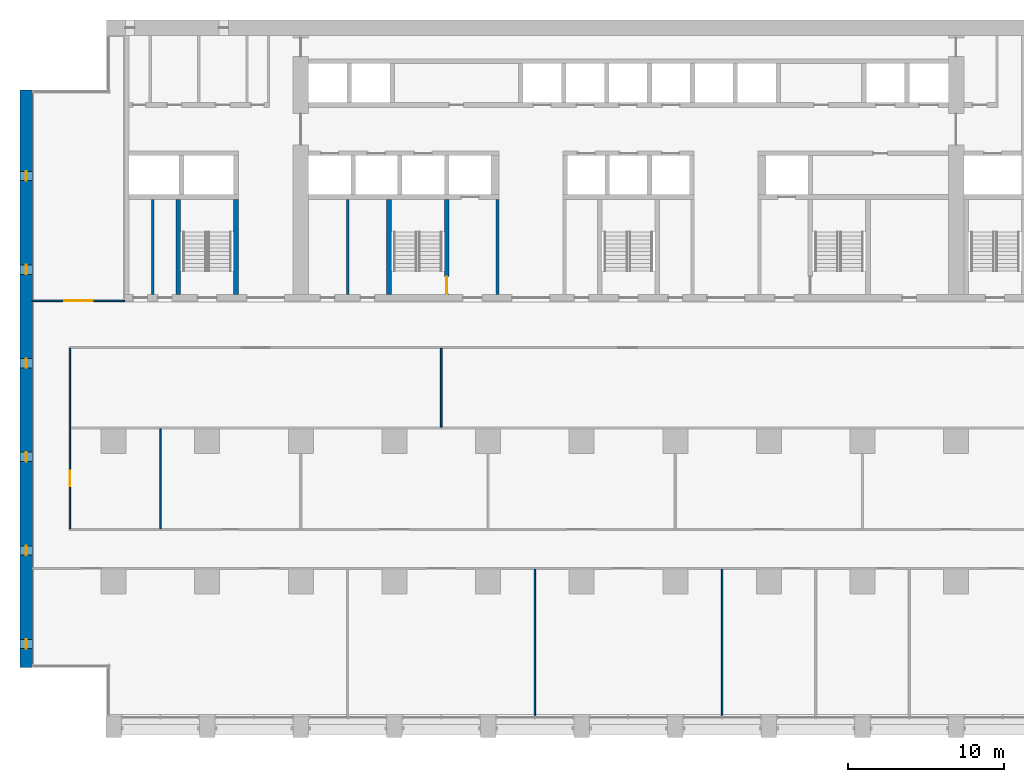
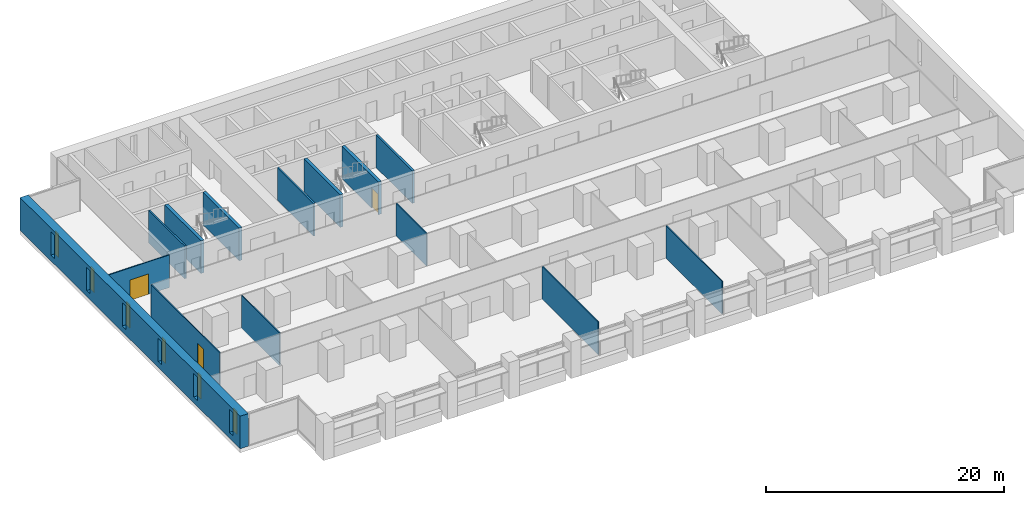
# One storey, part 8 of 18: 14 walls, 6 windows, 3 doors, 9 openings.
"""IFC4 building model written with IfcOpenShell, lengths in metres."""

import ifcopenshell
import ifcopenshell.guid

model = None  # the IFC model being written
_history = None  # IfcOwnerHistory: only IFC2X3 demands one
_inside = {}  # id of a spatial element -> (the spatial element, [elements in it])
_under = {}  # id of a project, library or spatial element -> (it, [spatial elements below it])
_declared = {}  # id of a project -> (the project, [libraries it declares])
_typed = {}  # id of a type object -> (the type object, [elements of that type])
_made_of = {}  # id of a material, layer set ... -> (it, [elements and type objects made of it])


def new_model(schema):
    """Start an empty IFC model of exactly this schema.

    Asked for "IFC4X3", IfcOpenShell would pick the latest addendum, in which some entities
    have other attributes; the version numbers below select the first issue.
    IFC2X3 requires an IfcOwnerHistory on every rooted entity: one is made here for all.
    """
    global model, _history
    if schema == "IFC4X3":
        model = ifcopenshell.file(schema_version=(4, 3, 0, 0))
    else:
        model = ifcopenshell.file(schema=schema)
    _inside.clear()
    _under.clear()
    _declared.clear()
    _typed.clear()
    _made_of.clear()
    _history = None
    if model.schema == "IFC2X3":
        org = make("IfcOrganization", Name="unknown")
        user = make(
            "IfcPersonAndOrganization",
            ThePerson=make("IfcPerson", FamilyName="unknown"),
            TheOrganization=org,
        )
        app = make(
            "IfcApplication",
            ApplicationDeveloper=org,
            Version="unknown",
            ApplicationFullName="unknown",
            ApplicationIdentifier="unknown",
        )
        _history = make(
            "IfcOwnerHistory",
            OwningUser=user,
            OwningApplication=app,
            ChangeAction="ADDED",
            CreationDate=0,
        )
    return model


def make(cls, **values):
    """One entity of the class cls with the attributes given. An attribute that is None is left unset."""
    return model.create_entity(
        cls, **{name: value for name, value in values.items() if value is not None}
    )


def rooted(cls, **values):
    """An entity with a GlobalId (a new one), such as an element, a storey or a relation."""
    return make(cls, GlobalId=ifcopenshell.guid.new(), OwnerHistory=_history, **values)


def si_unit(unit_type, name, prefix=None):
    """IfcSIUnit, for example si_unit("LENGTHUNIT", "METRE", prefix="MILLI")."""
    return make("IfcSIUnit", UnitType=unit_type, Prefix=prefix, Name=name)


def assignment(units):
    """IfcUnitAssignment: the units of a project."""
    return None if units is None else make("IfcUnitAssignment", Units=units)


def point(xyz):
    """IfcCartesianPoint."""
    return None if xyz is None else make("IfcCartesianPoint", Coordinates=xyz)


def direction(xyz):
    """IfcDirection."""
    return None if xyz is None else make("IfcDirection", DirectionRatios=xyz)


def frame(location, z_axis=None, x_axis=None):
    """IfcAxis2Placement3D, a coordinate frame: its origin and axes. An axis left out is left unset."""
    return make(
        "IfcAxis2Placement3D",
        Location=point(location),
        Axis=direction(z_axis),
        RefDirection=direction(x_axis),
    )


def frame_2d(location, x_axis=None):
    """IfcAxis2Placement2D, a coordinate frame in the plane: its origin and x axis."""
    return make(
        "IfcAxis2Placement2D", Location=point(location), RefDirection=direction(x_axis)
    )


def origin():
    """The frame at (0, 0, 0) with its axes left unset."""
    return frame((0.0, 0.0, 0.0))


def place(relative_to, where):
    """IfcLocalPlacement: puts the frame where relative to a parent placement (None: the world)."""
    return make(
        "IfcLocalPlacement", PlacementRelTo=relative_to, RelativePlacement=where
    )


def context(
    kind, dimensions, precision=None, world=None, true_north=None, identifier=None
):
    """IfcGeometricRepresentationContext, for example the 3D "Model" context."""
    return make(
        "IfcGeometricRepresentationContext",
        ContextIdentifier=identifier,
        ContextType=kind,
        CoordinateSpaceDimension=dimensions,
        Precision=precision,
        WorldCoordinateSystem=world,
        TrueNorth=true_north,
    )


def subcontext(parent, identifier, kind, view, scale=None):
    """IfcGeometricRepresentationSubContext, for example "Body" below "Model"."""
    return make(
        "IfcGeometricRepresentationSubContext",
        ContextIdentifier=identifier,
        ContextType=kind,
        ParentContext=parent,
        TargetScale=scale,
        TargetView=view,
    )


def project(units=None, contexts=None):
    """IfcProject with its units and contexts."""
    return rooted(
        "IfcProject",
        Name="project",
        RepresentationContexts=contexts,
        UnitsInContext=assignment(units),
    )


def spatial(cls, under=None, at=None, **own):
    """A site, building, storey or space (cls), placed at a placement, below another one or the project."""
    s = rooted(cls, ObjectPlacement=at, **own)
    if under is not None:
        _under.setdefault(under.id(), (under, []))[1].append(s)
    return s


def profile(cls, at=None, kind="AREA", **sizes):
    """A parametric profile (cls). Its sizes go by their IFC names, for example OverallWidth=200.0."""
    return make(cls, ProfileType=kind, Position=at, **sizes)


def rectangle(**sizes):
    """IfcRectangleProfileDef."""
    return profile("IfcRectangleProfileDef", **sizes)


def extrude(swept, where, along, depth):
    """IfcExtrudedAreaSolid: the profile swept, set in the frame where, extruded along a direction by depth."""
    return make(
        "IfcExtrudedAreaSolid",
        SweptArea=swept,
        Position=where,
        ExtrudedDirection=direction(along),
        Depth=depth,
    )


def shape(context_of_items, identifier, shape_type, items):
    """IfcShapeRepresentation: the items that make up one representation, for example the "Body"."""
    return make(
        "IfcShapeRepresentation",
        ContextOfItems=context_of_items,
        RepresentationIdentifier=identifier,
        RepresentationType=shape_type,
        Items=items,
    )


def material(Name=None, Category=None):
    """IfcMaterial."""
    return make("IfcMaterial", Name=Name, Category=Category)


def layer(
    of_material, thickness, ventilated=None, Name=None, Category=None, Priority=None
):
    """IfcMaterialLayer: one layer of a wall or slab, of a material (None: an air gap)."""
    return make(
        "IfcMaterialLayer",
        Material=of_material,
        LayerThickness=thickness,
        IsVentilated=ventilated,
        Name=Name,
        Category=Category,
        Priority=Priority,
    )


def layer_set(layers, Name=None):
    """IfcMaterialLayerSet."""
    return make("IfcMaterialLayerSet", MaterialLayers=layers, LayerSetName=Name)


def made_of(thing, what):
    """Note that an element or type object is made of a material, layer set ...; save() writes the relation."""
    if what is not None:
        _made_of.setdefault(what.id(), (what, []))[1].append(thing)
    return thing


def type_object(cls, material=None, **own):
    """A type object (cls), such as IfcWallType, which elements share."""
    return made_of(rooted(cls, **own), material)


def element(
    cls,
    number,
    at=None,
    inside=None,
    cuts=None,
    type_object=None,
    material=None,
    context=None,
    identifier="Body",
    shape_type=None,
    held_by="IfcProductDefinitionShape",
    body=None,
    shapes=None,
    **own,
):
    """One element of the class cls, such as IfcWall. Its Tag is "e" and its number.

    at: its placement. inside: the storey or other place that contains it. cuts: it is an
    opening in that element (IfcRelVoidsElement). A single representation is given by context,
    identifier, shape_type and body (its items); several are given by shapes. held_by: the class
    of the entity that holds the representations. save() writes the other relations.
    """
    e = rooted(cls, Tag="e%d" % number, ObjectPlacement=at, **own)
    if body is not None:
        shapes = [shape(context, identifier, shape_type, body)]
    if shapes is not None:
        e.Representation = make(held_by, Representations=shapes)
    if inside is not None:
        _inside.setdefault(inside.id(), (inside, []))[1].append(e)
    if cuts is not None:
        rooted(
            "IfcRelVoidsElement", RelatingBuildingElement=cuts, RelatedOpeningElement=e
        )
    if type_object is not None:
        _typed.setdefault(type_object.id(), (type_object, []))[1].append(e)
    return made_of(e, material)


def fill(opening, filler):
    """IfcRelFillsElement: the door or window that sits in an opening."""
    return rooted(
        "IfcRelFillsElement",
        RelatingOpeningElement=opening,
        RelatedBuildingElement=filler,
    )


def aggregate(whole, parts):
    """IfcRelAggregates: a whole, such as a stair, and the parts it consists of."""
    return rooted("IfcRelAggregates", RelatingObject=whole, RelatedObjects=parts)


def save(model, path):
    """Write the relations noted so far, then the file.

    IfcRelAggregates (storeys below a building ...), IfcRelContainedInSpatialStructure (elements
    in a storey), IfcRelDefinesByType, IfcRelAssociatesMaterial and IfcRelDeclares: one each for
    every whole, place, type object, material and project.
    """
    for whole, parts in _under.values():
        aggregate(whole, parts)
    for where, things in _inside.values():
        rooted(
            "IfcRelContainedInSpatialStructure",
            RelatedElements=things,
            RelatingStructure=where,
        )
    for kind, things in _typed.values():
        rooted("IfcRelDefinesByType", RelatedObjects=things, RelatingType=kind)
    for what, things in _made_of.values():
        rooted("IfcRelAssociatesMaterial", RelatedObjects=things, RelatingMaterial=what)
    for by, libraries in _declared.values():
        rooted("IfcRelDeclares", RelatingContext=by, RelatedDefinitions=libraries)
    model.write(path)


model = new_model("IFC4")

# Units and contexts
model_context = context("Model", 3, precision=1e-05, world=origin(), true_north=direction((0.0, 1.0)))
body_context = subcontext(model_context, "Body", "Model", "MODEL_VIEW")
ifc_project = project(units=[si_unit("LENGTHUNIT", "METRE"), si_unit("AREAUNIT", "SQUARE_METRE"), si_unit("VOLUMEUNIT", "CUBIC_METRE"), si_unit("PLANEANGLEUNIT", "RADIAN"), si_unit("MASSUNIT", "GRAM", prefix="KILO")], contexts=[model_context])

# Site, building, storey
site_placement = place(None, origin())
site = spatial("IfcSite", under=ifc_project, at=site_placement, CompositionType="ELEMENT")
building_placement = place(site_placement, origin())
building = spatial("IfcBuilding", under=site, at=building_placement, Name="Calvaro Tower", CompositionType="ELEMENT")
storey_placement = place(building_placement, frame((0.0, 0.0, 63.75)))
storey = spatial("IfcBuildingStorey", under=building, at=storey_placement, Name="L15", CompositionType="ELEMENT", Elevation=63.75)

# Walls
ifc_material_1 = material(Name="Blockwork partition", Category="masonry")
ifc_layer_1 = layer(ifc_material_1, 0.14990234375)
ifc_layer_set_1 = layer_set([ifc_layer_1], Name="Blockwork partition")
wall_type_1 = type_object("IfcWallType", Name="Core partition 150 EI 60", PredefinedType="PARTITIONING", material=ifc_layer_set_1)
wall_1_placement = place(storey_placement, frame((21.0, 28.39990234375, 0.0), z_axis=(0.0, 0.0, 1.0), x_axis=(0.0, 1.0, 0.0)))
element("IfcWall", 1, at=wall_1_placement, inside=storey, type_object=wall_type_1, Name="Core partition", PredefinedType="PARTITIONING", context=body_context, shape_type="SweptSolid", body=[
    extrude(rectangle(XDim=6.10009765625, YDim=0.14990234375, at=frame_2d((3.050048828125, 0.0))), origin(), (0.0, 0.0, 1.0), 3.35009765625),
])
ifc_material_2 = material(Name="Blockwork partition", Category="masonry")
ifc_layer_2 = layer(ifc_material_2, 0.14990234375)
ifc_layer_set_2 = layer_set([ifc_layer_2], Name="Blockwork partition")
wall_type_2 = type_object("IfcWallType", Name="Core partition 150 REI 120", PredefinedType="PARTITIONING", material=ifc_layer_set_2)
wall_2_placement = place(storey_placement, frame((8.5, 28.39990234375, 0.0), z_axis=(0.0, 0.0, 1.0), x_axis=(0.0, 1.0, 0.0)))
element("IfcWall", 2, at=wall_2_placement, inside=storey, type_object=wall_type_2, Name="Core partition", PredefinedType="PARTITIONING", context=body_context, shape_type="SweptSolid", body=[
    extrude(rectangle(XDim=6.10009765625, YDim=0.14990234375, at=frame_2d((3.050048828125, 0.0))), origin(), (0.0, 0.0, 1.0), 3.35009765625),
])
ifc_material_3 = material(Name="Blockwork partition", Category="masonry")
ifc_layer_3 = layer(ifc_material_3, 0.199951171875)
ifc_layer_set_3 = layer_set([ifc_layer_3], Name="Blockwork partition")
wall_type_3 = type_object("IfcWallType", Name="Core partition 200 REI 120", PredefinedType="PARTITIONING", material=ifc_layer_set_3)
wall_3_placement = place(storey_placement, frame((30.60009765625, 28.39990234375, 0.0), z_axis=(0.0, 0.0, 1.0), x_axis=(0.0, 1.0, 0.0)))
element("IfcWall", 3, at=wall_3_placement, inside=storey, type_object=wall_type_3, Name="Core partition", PredefinedType="PARTITIONING", context=body_context, shape_type="SweptSolid", body=[
    extrude(rectangle(XDim=6.10009765625, YDim=0.199951171875, at=frame_2d((3.050048828125, 0.0))), origin(), (0.0, 0.0, 1.0), 3.35009765625),
])
ifc_material_4 = material(Name="Concrete C80/95", Category="concrete")
ifc_layer_4 = layer(ifc_material_4, 0.300048828125)
ifc_layer_set_4 = layer_set([ifc_layer_4], Name="Concrete C80/95")
wall_type_4 = type_object("IfcWallType", Name="Core wall C80/95 300", PredefinedType="SHEAR", material=ifc_layer_set_4)
for number, where, z_axis, x_axis, name in (
    (4, (10.14990234375, 28.39990234375, 0.0), (0.0, 0.0, 1.0), (0.0, 1.0, 0.0), "Core wall, stair enclosure"),
    (5, (13.85009765625, 28.39990234375, 0.0), (0.0, 0.0, 1.0), (0.0, 1.0, 0.0), "Core wall, stair enclosure"),
    (6, (23.64990234375, 28.39990234375, 0.0), (0.0, 0.0, 1.0), (0.0, 1.0, 0.0), "Core wall, stair enclosure"),
):
    element("IfcWall", number, at=place(storey_placement, frame(where, z_axis=z_axis, x_axis=x_axis)), inside=storey, type_object=wall_type_4, Name=name, PredefinedType="SHEAR", context=body_context, shape_type="SweptSolid", body=[
        extrude(rectangle(XDim=6.10009765625, YDim=0.300048828125, at=frame_2d((3.050048828125, 0.0))), origin(), (0.0, 0.0, 1.0), 3.35009765625),
    ])

# Wall, opening, door
wall_4_placement = place(storey_placement, frame((27.35009765625, 28.39990234375, 0.0), z_axis=(0.0, 0.0, 1.0), x_axis=(0.0, 1.0, 0.0)))
wall_4 = element("IfcWall", 7, at=wall_4_placement, inside=storey, type_object=wall_type_4, Name="Core wall, stair enclosure", PredefinedType="SHEAR", context=body_context, shape_type="SweptSolid", body=[
    extrude(rectangle(XDim=6.10009765625, YDim=0.300048828125, at=frame_2d((3.050048828125, 0.0))), origin(), (0.0, 0.0, 1.0), 3.35009765625),
])
opening_1_placement = place(wall_4_placement, frame((0.050048828125, 0.0, 0.0)))
opening_1 = element("IfcOpeningElement", 8, at=opening_1_placement, cuts=wall_4, Name="Opening FD11D", PredefinedType="OPENING", context=body_context, shape_type="SweptSolid", body=[
    extrude(rectangle(XDim=1.10009765625, YDim=2.10009765625, at=frame_2d((0.550048828125, 1.050048828125))), frame((0.0, 0.159912109375, 0.0), z_axis=(0.0, -1.0, 0.0), x_axis=(1.0, 0.0, 0.0)), (0.0, 0.0, 1.0), 0.320068359375),
])
ifc_material_5 = material(Name="Steel door set", Category="steel")
door_type_1 = type_object("IfcDoorType", Name="Fire door 1100 FD30S", OperationType="SINGLE_SWING_LEFT", PredefinedType="DOOR", material=ifc_material_5)
door_1_placement = place(opening_1_placement, origin())
door_1 = element("IfcDoor", 9, at=door_1_placement, inside=storey, type_object=door_type_1, Name="Fire door", OperationType="SINGLE_SWING_LEFT", OverallHeight=2.10009765625, OverallWidth=1.10009765625, PredefinedType="DOOR", context=body_context, shape_type="SweptSolid", body=[
    extrude(rectangle(XDim=1.10009765625, YDim=2.10009765625, at=frame_2d((0.550048828125, 1.050048828125))), frame((0.0, 0.02490234375, 0.0), z_axis=(0.0, -1.0, 0.0), x_axis=(1.0, 0.0, 0.0)), (0.0, 0.0, 1.0), 0.050048828125),
])
fill(opening_1, door_1)

# Wall, openings, windows
ifc_material_6 = material(Name="Concrete C80/95", Category="concrete")
ifc_layer_5 = layer(ifc_material_6, 0.800048828125)
ifc_layer_set_5 = layer_set([ifc_layer_5], Name="Concrete C80/95")
wall_type_5 = type_object("IfcWallType", Name="End wall 800 C80/95", PredefinedType="SHEAR", material=ifc_layer_set_5)
wall_5_placement = place(storey_placement, frame((0.39990234375, 4.5, 0.0), z_axis=(0.0, 0.0, 1.0), x_axis=(0.0, 1.0, 0.0)))
wall_5 = element("IfcWall", 10, at=wall_5_placement, inside=storey, type_object=wall_type_5, Name="End shear wall", PredefinedType="SHEAR", context=body_context, shape_type="SweptSolid", body=[
    extrude(rectangle(XDim=37.0, YDim=0.800048828125, at=frame_2d((18.5, 0.0))), origin(), (0.0, 0.0, 1.0), 3.35009765625),
])
opening_2_placement = place(wall_5_placement, frame((1.199951171875, 0.0, 0.60009765625)))
opening_2 = element("IfcOpeningElement", 11, at=opening_2_placement, cuts=wall_5, Name="Opening WW01", PredefinedType="OPENING", context=body_context, shape_type="SweptSolid", body=[
    extrude(rectangle(XDim=0.60009765625, YDim=2.39990234375, at=frame_2d((0.300048828125, 1.199951171875))), frame((0.0, 0.409912109375, 0.0), z_axis=(0.0, -1.0, 0.0), x_axis=(1.0, 0.0, 0.0)), (0.0, 0.0, 1.0), 0.820068359375),
])
opening_3_placement = place(wall_5_placement, frame((7.199951171875, 0.0, 0.60009765625)))
opening_3 = element("IfcOpeningElement", 12, at=opening_3_placement, cuts=wall_5, Name="Opening WW02", PredefinedType="OPENING", context=body_context, shape_type="SweptSolid", body=[
    extrude(rectangle(XDim=0.60009765625, YDim=2.39990234375, at=frame_2d((0.300048828125, 1.199951171875))), frame((0.0, 0.409912109375, 0.0), z_axis=(0.0, -1.0, 0.0), x_axis=(1.0, 0.0, 0.0)), (0.0, 0.0, 1.0), 0.820068359375),
])
opening_4_placement = place(wall_5_placement, frame((13.199951171875, 0.0, 0.60009765625)))
opening_4 = element("IfcOpeningElement", 13, at=opening_4_placement, cuts=wall_5, Name="Opening WW03", PredefinedType="OPENING", context=body_context, shape_type="SweptSolid", body=[
    extrude(rectangle(XDim=0.60009765625, YDim=2.39990234375, at=frame_2d((0.300048828125, 1.199951171875))), frame((0.0, 0.409912109375, 0.0), z_axis=(0.0, -1.0, 0.0), x_axis=(1.0, 0.0, 0.0)), (0.0, 0.0, 1.0), 0.820068359375),
])
opening_5_placement = place(wall_5_placement, frame((19.199951171875, 0.0, 0.60009765625)))
opening_5 = element("IfcOpeningElement", 14, at=opening_5_placement, cuts=wall_5, Name="Opening WW04", PredefinedType="OPENING", context=body_context, shape_type="SweptSolid", body=[
    extrude(rectangle(XDim=0.60009765625, YDim=2.39990234375, at=frame_2d((0.300048828125, 1.199951171875))), frame((0.0, 0.409912109375, 0.0), z_axis=(0.0, -1.0, 0.0), x_axis=(1.0, 0.0, 0.0)), (0.0, 0.0, 1.0), 0.820068359375),
])
opening_6_placement = place(wall_5_placement, frame((25.199951171875, 0.0, 0.60009765625)))
opening_6 = element("IfcOpeningElement", 15, at=opening_6_placement, cuts=wall_5, Name="Opening WW05", PredefinedType="OPENING", context=body_context, shape_type="SweptSolid", body=[
    extrude(rectangle(XDim=0.60009765625, YDim=2.39990234375, at=frame_2d((0.300048828125, 1.199951171875))), frame((0.0, 0.409912109375, 0.0), z_axis=(0.0, -1.0, 0.0), x_axis=(1.0, 0.0, 0.0)), (0.0, 0.0, 1.0), 0.820068359375),
])
opening_7_placement = place(wall_5_placement, frame((31.199951171875, 0.0, 0.60009765625)))
opening_7 = element("IfcOpeningElement", 16, at=opening_7_placement, cuts=wall_5, Name="Opening WW06", PredefinedType="OPENING", context=body_context, shape_type="SweptSolid", body=[
    extrude(rectangle(XDim=0.60009765625, YDim=2.39990234375, at=frame_2d((0.300048828125, 1.199951171875))), frame((0.0, 0.409912109375, 0.0), z_axis=(0.0, -1.0, 0.0), x_axis=(1.0, 0.0, 0.0)), (0.0, 0.0, 1.0), 0.820068359375),
])
ifc_material_7 = material(Name="Glass", Category="glass")
window_type = type_object("IfcWindowType", Name="Slit window 600 x 2400", PartitioningType="SINGLE_PANEL", PredefinedType="WINDOW", material=ifc_material_7)
window_1_placement = place(opening_2_placement, origin())
window_1 = element("IfcWindow", 17, at=window_1_placement, inside=storey, type_object=window_type, Name="Window WW01", OverallHeight=2.39990234375, OverallWidth=0.60009765625, PartitioningType="SINGLE_PANEL", PredefinedType="WINDOW", context=body_context, shape_type="SweptSolid", body=[
    extrude(rectangle(XDim=0.60009765625, YDim=2.39990234375, at=frame_2d((0.300048828125, 1.199951171875))), frame((0.0, 0.030029296875, 0.0), z_axis=(0.0, -1.0, 0.0), x_axis=(1.0, 0.0, 0.0)), (0.0, 0.0, 1.0), 0.06005859375),
])
fill(opening_2, window_1)
window_2_placement = place(opening_3_placement, origin())
window_2 = element("IfcWindow", 18, at=window_2_placement, inside=storey, type_object=window_type, Name="Window WW02", OverallHeight=2.39990234375, OverallWidth=0.60009765625, PartitioningType="SINGLE_PANEL", PredefinedType="WINDOW", context=body_context, shape_type="SweptSolid", body=[
    extrude(rectangle(XDim=0.60009765625, YDim=2.39990234375, at=frame_2d((0.300048828125, 1.199951171875))), frame((0.0, 0.030029296875, 0.0), z_axis=(0.0, -1.0, 0.0), x_axis=(1.0, 0.0, 0.0)), (0.0, 0.0, 1.0), 0.06005859375),
])
fill(opening_3, window_2)
window_3_placement = place(opening_4_placement, origin())
window_3 = element("IfcWindow", 19, at=window_3_placement, inside=storey, type_object=window_type, Name="Window WW03", OverallHeight=2.39990234375, OverallWidth=0.60009765625, PartitioningType="SINGLE_PANEL", PredefinedType="WINDOW", context=body_context, shape_type="SweptSolid", body=[
    extrude(rectangle(XDim=0.60009765625, YDim=2.39990234375, at=frame_2d((0.300048828125, 1.199951171875))), frame((0.0, 0.030029296875, 0.0), z_axis=(0.0, -1.0, 0.0), x_axis=(1.0, 0.0, 0.0)), (0.0, 0.0, 1.0), 0.06005859375),
])
fill(opening_4, window_3)
window_4_placement = place(opening_5_placement, origin())
window_4 = element("IfcWindow", 20, at=window_4_placement, inside=storey, type_object=window_type, Name="Window WW04", OverallHeight=2.39990234375, OverallWidth=0.60009765625, PartitioningType="SINGLE_PANEL", PredefinedType="WINDOW", context=body_context, shape_type="SweptSolid", body=[
    extrude(rectangle(XDim=0.60009765625, YDim=2.39990234375, at=frame_2d((0.300048828125, 1.199951171875))), frame((0.0, 0.030029296875, 0.0), z_axis=(0.0, -1.0, 0.0), x_axis=(1.0, 0.0, 0.0)), (0.0, 0.0, 1.0), 0.06005859375),
])
fill(opening_5, window_4)
window_5_placement = place(opening_6_placement, origin())
window_5 = element("IfcWindow", 21, at=window_5_placement, inside=storey, type_object=window_type, Name="Window WW05", OverallHeight=2.39990234375, OverallWidth=0.60009765625, PartitioningType="SINGLE_PANEL", PredefinedType="WINDOW", context=body_context, shape_type="SweptSolid", body=[
    extrude(rectangle(XDim=0.60009765625, YDim=2.39990234375, at=frame_2d((0.300048828125, 1.199951171875))), frame((0.0, 0.030029296875, 0.0), z_axis=(0.0, -1.0, 0.0), x_axis=(1.0, 0.0, 0.0)), (0.0, 0.0, 1.0), 0.06005859375),
])
fill(opening_6, window_5)
window_6_placement = place(opening_7_placement, origin())
window_6 = element("IfcWindow", 22, at=window_6_placement, inside=storey, type_object=window_type, Name="Window WW06", OverallHeight=2.39990234375, OverallWidth=0.60009765625, PartitioningType="SINGLE_PANEL", PredefinedType="WINDOW", context=body_context, shape_type="SweptSolid", body=[
    extrude(rectangle(XDim=0.60009765625, YDim=2.39990234375, at=frame_2d((0.300048828125, 1.199951171875))), frame((0.0, 0.030029296875, 0.0), z_axis=(0.0, -1.0, 0.0), x_axis=(1.0, 0.0, 0.0)), (0.0, 0.0, 1.0), 0.06005859375),
])
fill(opening_7, window_6)

# Wall, opening, door
ifc_material_8 = material(Name="Plasterboard on steel studs", Category="steel")
ifc_layer_6 = layer(ifc_material_8, 0.10009765625)
ifc_layer_set_6 = layer_set([ifc_layer_6], Name="Plasterboard on steel studs")
wall_type_6 = type_object("IfcWallType", Name="Partition 100", PredefinedType="PARTITIONING", material=ifc_layer_set_6)
wall_6_placement = place(storey_placement, frame((0.800048828125, 28.0, 0.0), z_axis=(0.0, 0.0, 1.0), x_axis=(1.0, 0.0, 0.0)))
wall_6 = element("IfcWall", 23, at=wall_6_placement, inside=storey, type_object=wall_type_6, Name="Partition T12.W005", PredefinedType="PARTITIONING", context=body_context, shape_type="SweptSolid", body=[
    extrude(rectangle(XDim=5.89990234375, YDim=0.10009765625, at=frame_2d((2.949951171875, 0.0))), origin(), (0.0, 0.0, 1.0), 3.35009765625),
])
opening_8_placement = place(wall_6_placement, frame((2.050048828125, 0.0, 0.0)))
opening_8 = element("IfcOpeningElement", 24, at=opening_8_placement, cuts=wall_6, Name="Opening T12.019", PredefinedType="OPENING", context=body_context, shape_type="SweptSolid", body=[
    extrude(rectangle(XDim=1.800048828125, YDim=2.10009765625, at=frame_2d((0.89990234375, 1.050048828125))), frame((0.0, 0.06005859375, 0.0), z_axis=(0.0, -1.0, 0.0), x_axis=(1.0, 0.0, 0.0)), (0.0, 0.0, 1.0), 0.1201171875),
])
ifc_material_9 = material(Name="Timber", Category="wood")
door_type_2 = type_object("IfcDoorType", Name="Internal double door 1800 x 2100", OperationType="DOUBLE_DOOR_SINGLE_SWING", PredefinedType="DOOR", material=ifc_material_9)
door_2_placement = place(opening_8_placement, origin())
door_2 = element("IfcDoor", 25, at=door_2_placement, inside=storey, type_object=door_type_2, Name="Door T12.019", OperationType="DOUBLE_DOOR_SINGLE_SWING", OverallHeight=2.10009765625, OverallWidth=1.800048828125, PredefinedType="DOOR", context=body_context, shape_type="SweptSolid", body=[
    extrude(rectangle(XDim=1.800048828125, YDim=2.10009765625, at=frame_2d((0.89990234375, 1.050048828125))), frame((0.0, 0.02490234375, 0.0), z_axis=(0.0, -1.0, 0.0), x_axis=(1.0, 0.0, 0.0)), (0.0, 0.0, 1.0), 0.050048828125),
])
fill(opening_8, door_2)

wall_7_placement = place(storey_placement, frame((3.199951171875, 13.39990234375, 0.0), z_axis=(0.0, 0.0, 1.0), x_axis=(0.0, 1.0, 0.0)))
wall_7 = element("IfcWall", 26, at=wall_7_placement, inside=storey, type_object=wall_type_6, Name="Partition T12.W007", PredefinedType="PARTITIONING", context=body_context, shape_type="SweptSolid", body=[
    extrude(rectangle(XDim=11.550048828125, YDim=0.10009765625, at=frame_2d((5.77490234375, 0.0))), origin(), (0.0, 0.0, 1.0), 3.35009765625),
])
opening_9_placement = place(wall_7_placement, frame((2.699951171875, 0.0, 0.0)))
opening_9 = element("IfcOpeningElement", 27, at=opening_9_placement, cuts=wall_7, Name="Opening T12.009", PredefinedType="OPENING", context=body_context, shape_type="SweptSolid", body=[
    extrude(rectangle(XDim=1.0, YDim=2.10009765625, at=frame_2d((0.5, 1.050048828125))), frame((0.0, 0.06005859375, 0.0), z_axis=(0.0, -1.0, 0.0), x_axis=(1.0, 0.0, 0.0)), (0.0, 0.0, 1.0), 0.1201171875),
])
ifc_material_10 = material(Name="Timber", Category="wood")
door_type_3 = type_object("IfcDoorType", Name="Internal single door 1000 x 2100", OperationType="SINGLE_SWING_LEFT", PredefinedType="DOOR", material=ifc_material_10)
door_3_placement = place(opening_9_placement, origin())
door_3 = element("IfcDoor", 28, at=door_3_placement, inside=storey, type_object=door_type_3, Name="Door T12.009", OperationType="SINGLE_SWING_LEFT", OverallHeight=2.10009765625, OverallWidth=1.0, PredefinedType="DOOR", context=body_context, shape_type="SweptSolid", body=[
    extrude(rectangle(XDim=1.0, YDim=2.10009765625, at=frame_2d((0.5, 1.050048828125))), frame((0.0, 0.02490234375, 0.0), z_axis=(0.0, -1.0, 0.0), x_axis=(1.0, 0.0, 0.0)), (0.0, 0.0, 1.0), 0.050048828125),
])
fill(opening_9, door_3)

# Walls
wall_8_placement = place(storey_placement, frame((9.0, 13.39990234375, 0.0), z_axis=(0.0, 0.0, 1.0), x_axis=(0.0, 1.0, 0.0)))
element("IfcWall", 29, at=wall_8_placement, inside=storey, type_object=wall_type_6, Name="Partition T12.W008", PredefinedType="PARTITIONING", context=body_context, shape_type="SweptSolid", body=[
    extrude(rectangle(XDim=6.400146484375, YDim=0.10009765625, at=frame_2d((3.2001953125, 0.0))), origin(), (0.0, 0.0, 1.0), 3.35009765625),
])
wall_9_placement = place(storey_placement, frame((27.0, 19.89990234375, 0.0), z_axis=(0.0, 0.0, 1.0), x_axis=(0.0, 1.0, 0.0)))
element("IfcWall", 30, at=wall_9_placement, inside=storey, type_object=wall_type_6, Name="Partition T12.W011", PredefinedType="PARTITIONING", context=body_context, shape_type="SweptSolid", body=[
    extrude(rectangle(XDim=5.050048828125, YDim=0.10009765625, at=frame_2d((2.52490234375, 0.0))), origin(), (0.0, 0.0, 1.0), 3.35009765625),
])
for number, where, z_axis, x_axis, name in (
    (31, (33.0, 1.39990234375, 0.0), (0.0, 0.0, 1.0), (0.0, 1.0, 0.0), "Partition T12.W013"),
    (32, (45.0, 1.39990234375, 0.0), (0.0, 0.0, 1.0), (0.0, 1.0, 0.0), "Partition T12.W015"),
):
    element("IfcWall", number, at=place(storey_placement, frame(where, z_axis=z_axis, x_axis=x_axis)), inside=storey, type_object=wall_type_6, Name=name, PredefinedType="PARTITIONING", context=body_context, shape_type="SweptSolid", body=[
        extrude(rectangle(XDim=9.400146484375, YDim=0.10009765625, at=frame_2d((4.7001953125, 0.0))), origin(), (0.0, 0.0, 1.0), 3.35009765625),
    ])

save(model, "model.ifc")
